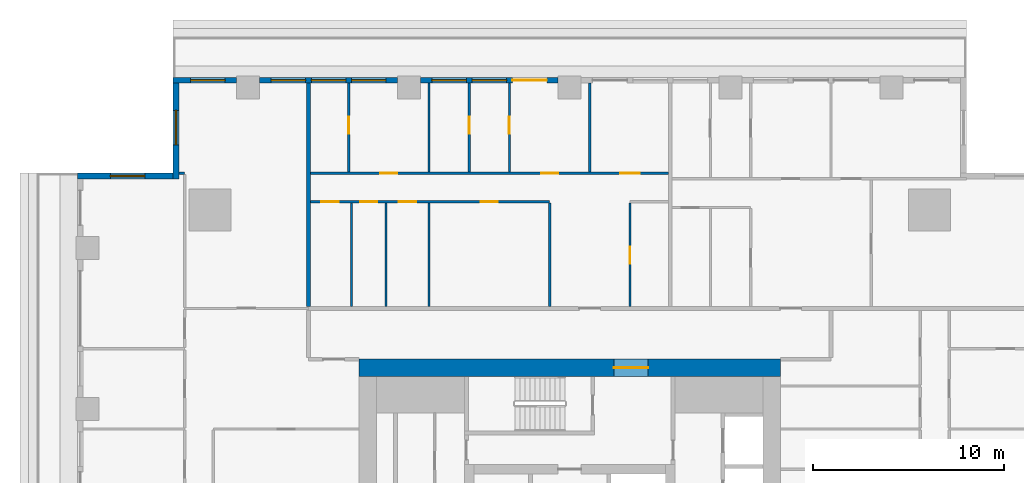
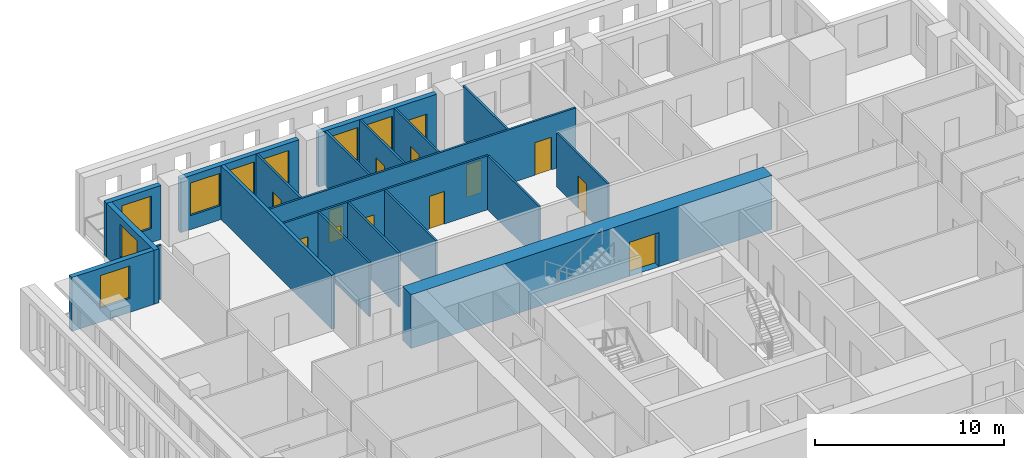
# One storey, part 7 of 15: 20 walls, 13 doors, 8 windows, 21 openings.
"""IFC4 building model written with IfcOpenShell, lengths in metres."""

from ifc_helpers import new_model, si_unit, direction, frame, frame_2d, origin, place, context, subcontext, project, spatial, rectangle, extrude, material, layer, layer_set, type_object, element, fill, save


model = new_model("IFC4")

# Units and contexts
model_context = context("Model", 3, precision=1e-05, world=origin(), true_north=direction((0.0, 1.0)))
body_context = subcontext(model_context, "Body", "Model", "MODEL_VIEW")
ifc_project = project(units=[si_unit("LENGTHUNIT", "METRE"), si_unit("AREAUNIT", "SQUARE_METRE"), si_unit("VOLUMEUNIT", "CUBIC_METRE"), si_unit("PLANEANGLEUNIT", "RADIAN"), si_unit("MASSUNIT", "GRAM", prefix="KILO")], contexts=[model_context])

# Site, building, storey
site_placement = place(None, origin())
site = spatial("IfcSite", under=ifc_project, at=site_placement, CompositionType="ELEMENT")
building_placement = place(site_placement, origin())
building = spatial("IfcBuilding", under=site, at=building_placement, Name="Khepri Terraces", CompositionType="ELEMENT")
storey_placement = place(building_placement, frame((0.0, 0.0, 252.300048828125)))
storey = spatial("IfcBuildingStorey", under=building, at=storey_placement, Name="L60", CompositionType="ELEMENT", Elevation=252.300048828125)

# Wall, opening, door
ifc_material_1 = material(Name="Concrete C40/50", Category="concrete")
ifc_layer_1 = layer(ifc_material_1, 0.89990234375, Name="Concrete C40/50", Category="concrete")
ifc_layer_set_1 = layer_set([ifc_layer_1], Name="Concrete C40/50")
wall_type_1 = type_object("IfcWallType", Name="Core wall 900 C40/50", PredefinedType="SHEAR", material=ifc_layer_set_1)
wall_1_placement = place(storey_placement, frame((-11.0, 10.550048828125, 0.0), z_axis=(0.0, 0.0, 1.0), x_axis=(1.0, 0.0, 0.0)))
wall_1 = element("IfcWall", 1, at=wall_1_placement, inside=storey, type_object=wall_type_1, Name="Core wall OW-N L60", PredefinedType="SHEAR", context=body_context, shape_type="SweptSolid", body=[
    extrude(rectangle(XDim=22.0, YDim=0.89990234375, at=frame_2d((11.0, 0.0))), origin(), (0.0, 0.0, 1.0), 3.47998046875),
])
opening_1_placement = place(wall_1_placement, frame((13.300048828125, 0.0, 0.0)))
opening_1 = element("IfcOpeningElement", 2, at=opening_1_placement, cuts=wall_1, Name="Opening L60-C20", PredefinedType="OPENING", context=body_context, shape_type="SweptSolid", body=[
    extrude(rectangle(XDim=1.800048828125, YDim=2.199951171875, at=frame_2d((0.89990234375, 1.10009765625))), frame((0.0, 0.4599609375, 0.0), z_axis=(0.0, -1.0, 0.0), x_axis=(1.0, 0.0, 0.0)), (0.0, 0.0, 1.0), 0.919921875),
])
ifc_material_2 = material(Name="Painted steel", Category="steel")
door_type_1 = type_object("IfcDoorType", Name="DR-CORE-ENTRANCE-1800", OperationType="NOTDEFINED", PredefinedType="DOOR", material=ifc_material_2)
door_1_placement = place(opening_1_placement, origin())
door_1 = element("IfcDoor", 3, at=door_1_placement, inside=storey, type_object=door_type_1, Name="Core entrance door pair L60-C20", OperationType="DOUBLE_DOOR_SINGLE_SWING", OverallHeight=2.199951171875, OverallWidth=1.800048828125, PredefinedType="DOOR", context=body_context, shape_type="SweptSolid", body=[
    extrude(rectangle(XDim=1.800048828125, YDim=2.199951171875, at=frame_2d((0.89990234375, 1.10009765625))), frame((0.0, 0.02490234375, 0.0), z_axis=(0.0, -1.0, 0.0), x_axis=(1.0, 0.0, 0.0)), (0.0, 0.0, 1.0), 0.050048828125),
])
fill(opening_1, door_1)

# Wall
ifc_material_3 = material(Name="Fire-rated gypsum plasterboard partition, mineral wool")
ifc_layer_2 = layer(ifc_material_3, 0.199951171875, Name="Fire-rated gypsum plasterboard partition, mineral wool")
ifc_layer_set_2 = layer_set([ifc_layer_2], Name="Fire-rated gypsum plasterboard partition, mineral wool")
wall_type_2 = type_object("IfcWallType", Name="WL-CORR-200", PredefinedType="PARTITIONING", material=ifc_layer_set_2)
wall_2_placement = place(storey_placement, frame((-13.64990234375, 13.75, 0.0), z_axis=(0.0, 0.0, 1.0), x_axis=(0.0, 1.0, 0.0)))
element("IfcWall", 4, at=wall_2_placement, inside=storey, type_object=wall_type_2, Name="Partition P-083 L60", PredefinedType="PARTITIONING", context=body_context, shape_type="SweptSolid", body=[
    extrude(rectangle(XDim=11.669921875, YDim=0.199951171875, at=frame_2d((5.8349609375, 0.0))), origin(), (0.0, 0.0, 1.0), 3.47998046875),
])

# Wall, openings, door, windows
ifc_material_4 = material(Name="Precast concrete C50/60 warm stone", Category="masonry")
ifc_layer_3 = layer(ifc_material_4, 0.300048828125, Name="Precast concrete C50/60 warm stone", Category="masonry")
ifc_layer_set_3 = layer_set([ifc_layer_3], Name="Precast concrete C50/60 warm stone")
wall_type_3 = type_object("IfcWallType", Name="WL-EXT-PRECAST-300", PredefinedType="STANDARD", material=ifc_layer_set_3)
wall_3_placement = place(storey_placement, frame((-0.60009765625, 25.570068359375, 0.0), z_axis=(0.0, 0.0, 1.0), x_axis=(-1.0, 0.0, 0.0)))
wall_3 = element("IfcWall", 5, at=wall_3_placement, inside=storey, type_object=wall_type_3, Name="External wall L60 N", PredefinedType="STANDARD", context=body_context, shape_type="SweptSolid", body=[
    extrude(rectangle(XDim=7.199951171875, YDim=0.300048828125, at=frame_2d((3.60009765625, 0.0))), origin(), (0.0, 0.0, 1.0), 3.47998046875),
])
opening_2_placement = place(wall_3_placement, frame((0.60009765625, 0.0, 0.0)))
opening_2 = element("IfcOpeningElement", 6, at=opening_2_placement, cuts=wall_3, Name="Opening ED-L60-11", PredefinedType="OPENING", context=body_context, shape_type="SweptSolid", body=[
    extrude(rectangle(XDim=1.800048828125, YDim=2.39990234375, at=frame_2d((0.89990234375, 1.199951171875))), frame((0.0, 0.16015625, 0.0), z_axis=(0.0, -1.0, 0.0), x_axis=(1.0, 0.0, 0.0)), (0.0, 0.0, 1.0), 0.320068359375),
])
opening_3_placement = place(wall_3_placement, frame((2.699951171875, 0.0, 0.89990234375)))
opening_3 = element("IfcOpeningElement", 7, at=opening_3_placement, cuts=wall_3, Name="Opening W1", PredefinedType="OPENING", context=body_context, shape_type="SweptSolid", body=[
    extrude(rectangle(XDim=1.800048828125, YDim=2.10009765625, at=frame_2d((0.89990234375, 1.050048828125))), frame((0.0, 0.16015625, 0.0), z_axis=(0.0, -1.0, 0.0), x_axis=(1.0, 0.0, 0.0)), (0.0, 0.0, 1.0), 0.320068359375),
])
opening_4_placement = place(wall_3_placement, frame((4.800048828125, 0.0, 0.89990234375)))
opening_4 = element("IfcOpeningElement", 8, at=opening_4_placement, cuts=wall_3, Name="Opening W1", PredefinedType="OPENING", context=body_context, shape_type="SweptSolid", body=[
    extrude(rectangle(XDim=1.800048828125, YDim=2.10009765625, at=frame_2d((0.89990234375, 1.050048828125))), frame((0.0, 0.16015625, 0.0), z_axis=(0.0, -1.0, 0.0), x_axis=(1.0, 0.0, 0.0)), (0.0, 0.0, 1.0), 0.320068359375),
])
ifc_material_5 = material(Name="Anodised aluminium bronze glazed door", Category="aluminium")
door_type_2 = type_object("IfcDoorType", Name="DR-BAL-SLIDE-1800x2400", OperationType="NOTDEFINED", PredefinedType="DOOR", material=ifc_material_5)
door_2_placement = place(opening_2_placement, origin())
door_2 = element("IfcDoor", 9, at=door_2_placement, inside=storey, type_object=door_type_2, Name="Balcony door L60 N", OperationType="SLIDING_TO_LEFT", OverallHeight=2.39990234375, OverallWidth=1.800048828125, PredefinedType="DOOR", context=body_context, shape_type="SweptSolid", body=[
    extrude(rectangle(XDim=1.800048828125, YDim=2.39990234375, at=frame_2d((0.89990234375, 1.199951171875))), frame((0.0, 0.02490234375, 0.0), z_axis=(0.0, -1.0, 0.0), x_axis=(1.0, 0.0, 0.0)), (0.0, 0.0, 1.0), 0.050048828125),
])
fill(opening_2, door_2)
ifc_material_6 = material(Name="Clear glass", Category="glass")
window_type = type_object("IfcWindowType", Name="WIN-RES-1800x2100", PartitioningType="SINGLE_PANEL", PredefinedType="WINDOW", material=ifc_material_6)
window_1_placement = place(opening_3_placement, origin())
window_1 = element("IfcWindow", 10, at=window_1_placement, inside=storey, type_object=window_type, Name="Window L60 N", OverallHeight=2.10009765625, OverallWidth=1.800048828125, PartitioningType="SINGLE_PANEL", PredefinedType="WINDOW", context=body_context, shape_type="SweptSolid", body=[
    extrude(rectangle(XDim=1.800048828125, YDim=2.10009765625, at=frame_2d((0.89990234375, 1.050048828125))), frame((0.0, 0.030029296875, 0.0), z_axis=(0.0, -1.0, 0.0), x_axis=(1.0, 0.0, 0.0)), (0.0, 0.0, 1.0), 0.06005859375),
])
fill(opening_3, window_1)
window_2_placement = place(opening_4_placement, origin())
window_2 = element("IfcWindow", 11, at=window_2_placement, inside=storey, type_object=window_type, Name="Window L60 N", OverallHeight=2.10009765625, OverallWidth=1.800048828125, PartitioningType="SINGLE_PANEL", PredefinedType="WINDOW", context=body_context, shape_type="SweptSolid", body=[
    extrude(rectangle(XDim=1.800048828125, YDim=2.10009765625, at=frame_2d((0.89990234375, 1.050048828125))), frame((0.0, 0.030029296875, 0.0), z_axis=(0.0, -1.0, 0.0), x_axis=(1.0, 0.0, 0.0)), (0.0, 0.0, 1.0), 0.06005859375),
])
fill(opening_4, window_2)

# Wall, openings, windows
wall_4_placement = place(storey_placement, frame((-9.0, 25.570068359375, 0.0), z_axis=(0.0, 0.0, 1.0), x_axis=(-1.0, 0.0, 0.0)))
wall_4 = element("IfcWall", 12, at=wall_4_placement, inside=storey, type_object=wall_type_3, Name="External wall L60 N", PredefinedType="STANDARD", context=body_context, shape_type="SweptSolid", body=[
    extrude(rectangle(XDim=7.199951171875, YDim=0.300048828125, at=frame_2d((3.60009765625, 0.0))), origin(), (0.0, 0.0, 1.0), 3.47998046875),
])
opening_5_placement = place(wall_4_placement, frame((0.60009765625, 0.0, 0.89990234375)))
opening_5 = element("IfcOpeningElement", 13, at=opening_5_placement, cuts=wall_4, Name="Opening W1", PredefinedType="OPENING", context=body_context, shape_type="SweptSolid", body=[
    extrude(rectangle(XDim=1.800048828125, YDim=2.10009765625, at=frame_2d((0.89990234375, 1.050048828125))), frame((0.0, 0.16015625, 0.0), z_axis=(0.0, -1.0, 0.0), x_axis=(1.0, 0.0, 0.0)), (0.0, 0.0, 1.0), 0.320068359375),
])
opening_6_placement = place(wall_4_placement, frame((2.699951171875, 0.0, 0.89990234375)))
opening_6 = element("IfcOpeningElement", 14, at=opening_6_placement, cuts=wall_4, Name="Opening W1", PredefinedType="OPENING", context=body_context, shape_type="SweptSolid", body=[
    extrude(rectangle(XDim=1.800048828125, YDim=2.10009765625, at=frame_2d((0.89990234375, 1.050048828125))), frame((0.0, 0.16015625, 0.0), z_axis=(0.0, -1.0, 0.0), x_axis=(1.0, 0.0, 0.0)), (0.0, 0.0, 1.0), 0.320068359375),
])
opening_7_placement = place(wall_4_placement, frame((4.800048828125, 0.0, 0.89990234375)))
opening_7 = element("IfcOpeningElement", 15, at=opening_7_placement, cuts=wall_4, Name="Opening W1", PredefinedType="OPENING", context=body_context, shape_type="SweptSolid", body=[
    extrude(rectangle(XDim=1.800048828125, YDim=2.10009765625, at=frame_2d((0.89990234375, 1.050048828125))), frame((0.0, 0.16015625, 0.0), z_axis=(0.0, -1.0, 0.0), x_axis=(1.0, 0.0, 0.0)), (0.0, 0.0, 1.0), 0.320068359375),
])
window_3_placement = place(opening_5_placement, origin())
window_3 = element("IfcWindow", 16, at=window_3_placement, inside=storey, type_object=window_type, Name="Window L60 N", OverallHeight=2.10009765625, OverallWidth=1.800048828125, PartitioningType="SINGLE_PANEL", PredefinedType="WINDOW", context=body_context, shape_type="SweptSolid", body=[
    extrude(rectangle(XDim=1.800048828125, YDim=2.10009765625, at=frame_2d((0.89990234375, 1.050048828125))), frame((0.0, 0.030029296875, 0.0), z_axis=(0.0, -1.0, 0.0), x_axis=(1.0, 0.0, 0.0)), (0.0, 0.0, 1.0), 0.06005859375),
])
fill(opening_5, window_3)
window_4_placement = place(opening_6_placement, origin())
window_4 = element("IfcWindow", 17, at=window_4_placement, inside=storey, type_object=window_type, Name="Window L60 N", OverallHeight=2.10009765625, OverallWidth=1.800048828125, PartitioningType="SINGLE_PANEL", PredefinedType="WINDOW", context=body_context, shape_type="SweptSolid", body=[
    extrude(rectangle(XDim=1.800048828125, YDim=2.10009765625, at=frame_2d((0.89990234375, 1.050048828125))), frame((0.0, 0.030029296875, 0.0), z_axis=(0.0, -1.0, 0.0), x_axis=(1.0, 0.0, 0.0)), (0.0, 0.0, 1.0), 0.06005859375),
])
fill(opening_6, window_4)
window_5_placement = place(opening_7_placement, origin())
window_5 = element("IfcWindow", 18, at=window_5_placement, inside=storey, type_object=window_type, Name="Window L60 N", OverallHeight=2.10009765625, OverallWidth=1.800048828125, PartitioningType="SINGLE_PANEL", PredefinedType="WINDOW", context=body_context, shape_type="SweptSolid", body=[
    extrude(rectangle(XDim=1.800048828125, YDim=2.10009765625, at=frame_2d((0.89990234375, 1.050048828125))), frame((0.0, 0.030029296875, 0.0), z_axis=(0.0, -1.0, 0.0), x_axis=(1.0, 0.0, 0.0)), (0.0, 0.0, 1.0), 0.06005859375),
])
fill(opening_7, window_5)

# Wall, opening, window
wall_5_placement = place(storey_placement, frame((-17.39990234375, 25.570068359375, 0.0), z_axis=(0.0, 0.0, 1.0), x_axis=(-1.0, 0.0, 0.0)))
wall_5 = element("IfcWall", 19, at=wall_5_placement, inside=storey, type_object=wall_type_3, Name="External wall L60 N", PredefinedType="STANDARD", context=body_context, shape_type="SweptSolid", body=[
    extrude(rectangle(XDim=3.320068359375, YDim=0.300048828125, at=frame_2d((1.66015625, 0.0))), origin(), (0.0, 0.0, 1.0), 3.47998046875),
])
opening_8_placement = place(wall_5_placement, frame((0.60009765625, 0.0, 0.89990234375)))
opening_8 = element("IfcOpeningElement", 20, at=opening_8_placement, cuts=wall_5, Name="Opening W1", PredefinedType="OPENING", context=body_context, shape_type="SweptSolid", body=[
    extrude(rectangle(XDim=1.800048828125, YDim=2.10009765625, at=frame_2d((0.89990234375, 1.050048828125))), frame((0.0, 0.16015625, 0.0), z_axis=(0.0, -1.0, 0.0), x_axis=(1.0, 0.0, 0.0)), (0.0, 0.0, 1.0), 0.320068359375),
])
window_6_placement = place(opening_8_placement, origin())
window_6 = element("IfcWindow", 21, at=window_6_placement, inside=storey, type_object=window_type, Name="Window L60 N", OverallHeight=2.10009765625, OverallWidth=1.800048828125, PartitioningType="SINGLE_PANEL", PredefinedType="WINDOW", context=body_context, shape_type="SweptSolid", body=[
    extrude(rectangle(XDim=1.800048828125, YDim=2.10009765625, at=frame_2d((0.89990234375, 1.050048828125))), frame((0.0, 0.030029296875, 0.0), z_axis=(0.0, -1.0, 0.0), x_axis=(1.0, 0.0, 0.0)), (0.0, 0.0, 1.0), 0.06005859375),
])
fill(opening_8, window_6)

wall_6_placement = place(storey_placement, frame((-20.570068359375, 25.419921875, 0.0), z_axis=(0.0, 0.0, 1.0), x_axis=(0.0, -1.0, 0.0)))
wall_6 = element("IfcWall", 22, at=wall_6_placement, inside=storey, type_object=wall_type_3, Name="External wall L60 W", PredefinedType="STANDARD", context=body_context, shape_type="SweptSolid", body=[
    extrude(rectangle(XDim=5.0, YDim=0.300048828125, at=frame_2d((2.5, 0.0))), origin(), (0.0, 0.0, 1.0), 3.47998046875),
])
opening_9_placement = place(wall_6_placement, frame((1.419921875, 0.0, 0.89990234375)))
opening_9 = element("IfcOpeningElement", 23, at=opening_9_placement, cuts=wall_6, Name="Opening W1", PredefinedType="OPENING", context=body_context, shape_type="SweptSolid", body=[
    extrude(rectangle(XDim=1.800048828125, YDim=2.10009765625, at=frame_2d((0.89990234375, 1.050048828125))), frame((0.0, 0.16015625, 0.0), z_axis=(0.0, -1.0, 0.0), x_axis=(1.0, 0.0, 0.0)), (0.0, 0.0, 1.0), 0.320068359375),
])
window_7_placement = place(opening_9_placement, origin())
window_7 = element("IfcWindow", 24, at=window_7_placement, inside=storey, type_object=window_type, Name="Window L60 W", OverallHeight=2.10009765625, OverallWidth=1.800048828125, PartitioningType="SINGLE_PANEL", PredefinedType="WINDOW", context=body_context, shape_type="SweptSolid", body=[
    extrude(rectangle(XDim=1.800048828125, YDim=2.10009765625, at=frame_2d((0.89990234375, 1.050048828125))), frame((0.0, 0.030029296875, 0.0), z_axis=(0.0, -1.0, 0.0), x_axis=(1.0, 0.0, 0.0)), (0.0, 0.0, 1.0), 0.06005859375),
])
fill(opening_9, window_7)

wall_7_placement = place(storey_placement, frame((-20.719970703125, 20.570068359375, 0.0), z_axis=(0.0, 0.0, 1.0), x_axis=(-1.0, 0.0, 0.0)))
wall_7 = element("IfcWall", 25, at=wall_7_placement, inside=storey, type_object=wall_type_3, Name="External wall L60 N", PredefinedType="STANDARD", context=body_context, shape_type="SweptSolid", body=[
    extrude(rectangle(XDim=5.0, YDim=0.300048828125, at=frame_2d((2.5, 0.0))), origin(), (0.0, 0.0, 1.0), 3.47998046875),
])
opening_10_placement = place(wall_7_placement, frame((1.47998046875, 0.0, 0.89990234375)))
opening_10 = element("IfcOpeningElement", 26, at=opening_10_placement, cuts=wall_7, Name="Opening W1", PredefinedType="OPENING", context=body_context, shape_type="SweptSolid", body=[
    extrude(rectangle(XDim=1.800048828125, YDim=2.10009765625, at=frame_2d((0.89990234375, 1.050048828125))), frame((0.0, 0.16015625, 0.0), z_axis=(0.0, -1.0, 0.0), x_axis=(1.0, 0.0, 0.0)), (0.0, 0.0, 1.0), 0.320068359375),
])
window_8_placement = place(opening_10_placement, origin())
window_8 = element("IfcWindow", 27, at=window_8_placement, inside=storey, type_object=window_type, Name="Window L60 N", OverallHeight=2.10009765625, OverallWidth=1.800048828125, PartitioningType="SINGLE_PANEL", PredefinedType="WINDOW", context=body_context, shape_type="SweptSolid", body=[
    extrude(rectangle(XDim=1.800048828125, YDim=2.10009765625, at=frame_2d((0.89990234375, 1.050048828125))), frame((0.0, 0.030029296875, 0.0), z_axis=(0.0, -1.0, 0.0), x_axis=(1.0, 0.0, 0.0)), (0.0, 0.0, 1.0), 0.06005859375),
])
fill(opening_10, window_8)

# Walls
ifc_material_7 = material(Name="Gypsum plasterboard partition")
ifc_layer_4 = layer(ifc_material_7, 0.1201171875, Name="Gypsum plasterboard partition")
ifc_layer_set_4 = layer_set([ifc_layer_4], Name="Gypsum plasterboard partition")
wall_type_4 = type_object("IfcWallType", Name="WL-PART-120", PredefinedType="PARTITIONING", material=ifc_layer_set_4)
for number, where, z_axis, x_axis, name in (
    (28, (-11.39990234375, 13.75, 0.0), (0.0, 0.0, 1.0), (0.0, 1.0, 0.0), "Partition P-084 L60"),
    (29, (-9.60009765625, 13.75, 0.0), (0.0, 0.0, 1.0), (0.0, 1.0, 0.0), "Partition P-085 L60"),
    (30, (-7.35009765625, 13.75, 0.0), (0.0, 0.0, 1.0), (0.0, 1.0, 0.0), "Partition P-086 L60"),
    (31, (-1.050048828125, 13.75, 0.0), (0.0, 0.0, 1.0), (0.0, 1.0, 0.0), "Partition P-087 L60"),
):
    element("IfcWall", number, at=place(storey_placement, frame(where, z_axis=z_axis, x_axis=x_axis)), inside=storey, type_object=wall_type_4, Name=name, PredefinedType="PARTITIONING", context=body_context, shape_type="SweptSolid", body=[
        extrude(rectangle(XDim=5.409912109375, YDim=0.1201171875, at=frame_2d((2.705078125, 0.0))), origin(), (0.0, 0.0, 1.0), 3.47998046875),
    ])

# Wall, opening, door
wall_8_placement = place(storey_placement, frame((3.14990234375, 13.75, 0.0), z_axis=(0.0, 0.0, 1.0), x_axis=(0.0, 1.0, 0.0)))
wall_8 = element("IfcWall", 32, at=wall_8_placement, inside=storey, type_object=wall_type_4, Name="Partition P-088 L60", PredefinedType="PARTITIONING", context=body_context, shape_type="SweptSolid", body=[
    extrude(rectangle(XDim=5.409912109375, YDim=0.1201171875, at=frame_2d((2.705078125, 0.0))), origin(), (0.0, 0.0, 1.0), 3.47998046875),
])
opening_11_placement = place(wall_8_placement, frame((2.235107421875, 0.0, 0.0)))
opening_11 = element("IfcOpeningElement", 33, at=opening_11_placement, cuts=wall_8, Name="Opening D3", PredefinedType="OPENING", context=body_context, shape_type="SweptSolid", body=[
    extrude(rectangle(XDim=0.89990234375, YDim=2.10009765625, at=frame_2d((0.449951171875, 1.050048828125))), frame((0.0, 0.070068359375, 0.0), z_axis=(0.0, -1.0, 0.0), x_axis=(1.0, 0.0, 0.0)), (0.0, 0.0, 1.0), 0.14013671875),
])
ifc_material_8 = material(Name="Timber door leaf", Category="wood")
door_type_3 = type_object("IfcDoorType", Name="DR-INT-900", OperationType="NOTDEFINED", PredefinedType="DOOR", material=ifc_material_8)
door_3_placement = place(opening_11_placement, frame((0.89990234375, 0.0, 0.0), z_axis=(0.0, 0.0, 1.0), x_axis=(-1.0, 0.0, 0.0)))
door_3 = element("IfcDoor", 34, at=door_3_placement, inside=storey, type_object=door_type_3, Name="Door Utility Room", OperationType="SINGLE_SWING_RIGHT", OverallHeight=2.10009765625, OverallWidth=0.89990234375, PredefinedType="DOOR", context=body_context, shape_type="SweptSolid", body=[
    extrude(rectangle(XDim=0.89990234375, YDim=2.10009765625, at=frame_2d((0.449951171875, 1.050048828125))), frame((0.0, 0.02490234375, 0.0), z_axis=(0.0, -1.0, 0.0), x_axis=(1.0, 0.0, 0.0)), (0.0, 0.0, 1.0), 0.050048828125),
])
fill(opening_11, door_3)

# Wall, openings, doors
wall_9_placement = place(storey_placement, frame((-13.550048828125, 19.219970703125, 0.0), z_axis=(0.0, 0.0, 1.0), x_axis=(1.0, 0.0, 0.0)))
wall_9 = element("IfcWall", 35, at=wall_9_placement, inside=storey, type_object=wall_type_4, Name="Partition P-094 L60", PredefinedType="PARTITIONING", context=body_context, shape_type="SweptSolid", body=[
    extrude(rectangle(XDim=12.5, YDim=0.1201171875, at=frame_2d((6.25, 0.0))), origin(), (0.0, 0.0, 1.0), 3.47998046875),
])
opening_12_placement = place(wall_9_placement, frame((8.89990234375, 0.0, 0.0)))
opening_12 = element("IfcOpeningElement", 36, at=opening_12_placement, cuts=wall_9, Name="Opening D3", PredefinedType="OPENING", context=body_context, shape_type="SweptSolid", body=[
    extrude(rectangle(XDim=0.89990234375, YDim=2.10009765625, at=frame_2d((0.449951171875, 1.050048828125))), frame((0.0, 0.070068359375, 0.0), z_axis=(0.0, -1.0, 0.0), x_axis=(1.0, 0.0, 0.0)), (0.0, 0.0, 1.0), 0.14013671875),
])
opening_13_placement = place(wall_9_placement, frame((4.625, 0.0, 0.0)))
opening_13 = element("IfcOpeningElement", 37, at=opening_13_placement, cuts=wall_9, Name="Opening D3", PredefinedType="OPENING", context=body_context, shape_type="SweptSolid", body=[
    extrude(rectangle(XDim=0.89990234375, YDim=2.10009765625, at=frame_2d((0.449951171875, 1.050048828125))), frame((0.0, 0.070068359375, 0.0), z_axis=(0.0, -1.0, 0.0), x_axis=(1.0, 0.0, 0.0)), (0.0, 0.0, 1.0), 0.14013671875),
])
opening_14_placement = place(wall_9_placement, frame((2.60009765625, 0.0, 0.0)))
opening_14 = element("IfcOpeningElement", 38, at=opening_14_placement, cuts=wall_9, Name="Opening D4", PredefinedType="OPENING", context=body_context, shape_type="SweptSolid", body=[
    extrude(rectangle(XDim=0.89990234375, YDim=2.10009765625, at=frame_2d((0.449951171875, 1.050048828125))), frame((0.0, 0.070068359375, 0.0), z_axis=(0.0, -1.0, 0.0), x_axis=(1.0, 0.0, 0.0)), (0.0, 0.0, 1.0), 0.14013671875),
])
opening_15_placement = place(wall_9_placement, frame((0.574951171875, 0.0, 0.0)))
opening_15 = element("IfcOpeningElement", 39, at=opening_15_placement, cuts=wall_9, Name="Opening D4", PredefinedType="OPENING", context=body_context, shape_type="SweptSolid", body=[
    extrude(rectangle(XDim=0.89990234375, YDim=2.10009765625, at=frame_2d((0.449951171875, 1.050048828125))), frame((0.0, 0.070068359375, 0.0), z_axis=(0.0, -1.0, 0.0), x_axis=(1.0, 0.0, 0.0)), (0.0, 0.0, 1.0), 0.14013671875),
])
door_4_placement = place(opening_12_placement, frame((0.89990234375, 0.0, 0.0), z_axis=(0.0, 0.0, 1.0), x_axis=(-1.0, 0.0, 0.0)))
door_4 = element("IfcDoor", 40, at=door_4_placement, inside=storey, type_object=door_type_3, Name="Door Kitchen", OperationType="SINGLE_SWING_LEFT", OverallHeight=2.10009765625, OverallWidth=0.89990234375, PredefinedType="DOOR", context=body_context, shape_type="SweptSolid", body=[
    extrude(rectangle(XDim=0.89990234375, YDim=2.10009765625, at=frame_2d((0.449951171875, 1.050048828125))), frame((0.0, 0.02490234375, 0.0), z_axis=(0.0, -1.0, 0.0), x_axis=(1.0, 0.0, 0.0)), (0.0, 0.0, 1.0), 0.050048828125),
])
fill(opening_12, door_4)
door_5_placement = place(opening_13_placement, frame((0.89990234375, 0.0, 0.0), z_axis=(0.0, 0.0, 1.0), x_axis=(-1.0, 0.0, 0.0)))
door_5 = element("IfcDoor", 41, at=door_5_placement, inside=storey, type_object=door_type_3, Name="Door Service Store", OperationType="SINGLE_SWING_RIGHT", OverallHeight=2.10009765625, OverallWidth=0.89990234375, PredefinedType="DOOR", context=body_context, shape_type="SweptSolid", body=[
    extrude(rectangle(XDim=0.89990234375, YDim=2.10009765625, at=frame_2d((0.449951171875, 1.050048828125))), frame((0.0, 0.02490234375, 0.0), z_axis=(0.0, -1.0, 0.0), x_axis=(1.0, 0.0, 0.0)), (0.0, 0.0, 1.0), 0.050048828125),
])
fill(opening_13, door_5)
ifc_material_9 = material(Name="Timber door leaf, moisture resistant", Category="wood")
door_type_4 = type_object("IfcDoorType", Name="DR-WET-900", OperationType="NOTDEFINED", PredefinedType="DOOR", material=ifc_material_9)
door_6_placement = place(opening_14_placement, frame((0.89990234375, 0.0, 0.0), z_axis=(0.0, 0.0, 1.0), x_axis=(-1.0, 0.0, 0.0)))
door_6 = element("IfcDoor", 42, at=door_6_placement, inside=storey, type_object=door_type_4, Name="Door Powder Room", OperationType="SINGLE_SWING_RIGHT", OverallHeight=2.10009765625, OverallWidth=0.89990234375, PredefinedType="DOOR", context=body_context, shape_type="SweptSolid", body=[
    extrude(rectangle(XDim=0.89990234375, YDim=2.10009765625, at=frame_2d((0.449951171875, 1.050048828125))), frame((0.0, 0.02490234375, 0.0), z_axis=(0.0, -1.0, 0.0), x_axis=(1.0, 0.0, 0.0)), (0.0, 0.0, 1.0), 0.050048828125),
])
fill(opening_14, door_6)
door_7_placement = place(opening_15_placement, frame((0.89990234375, 0.0, 0.0), z_axis=(0.0, 0.0, 1.0), x_axis=(-1.0, 0.0, 0.0)))
door_7 = element("IfcDoor", 43, at=door_7_placement, inside=storey, type_object=door_type_4, Name="Door Guest Bathroom", OperationType="SINGLE_SWING_RIGHT", OverallHeight=2.10009765625, OverallWidth=0.89990234375, PredefinedType="DOOR", context=body_context, shape_type="SweptSolid", body=[
    extrude(rectangle(XDim=0.89990234375, YDim=2.10009765625, at=frame_2d((0.449951171875, 1.050048828125))), frame((0.0, 0.02490234375, 0.0), z_axis=(0.0, -1.0, 0.0), x_axis=(1.0, 0.0, 0.0)), (0.0, 0.0, 1.0), 0.050048828125),
])
fill(opening_15, door_7)

# Wall
wall_10_placement = place(storey_placement, frame((-20.4208984375, 20.718994140625, 0.0), z_axis=(0.0, 0.0, 1.0), x_axis=(1.0, 0.0, 0.0)))
element("IfcWall", 44, at=wall_10_placement, inside=storey, type_object=wall_type_4, Name="Partition P-101 L60", PredefinedType="PARTITIONING", context=body_context, shape_type="SweptSolid", body=[
    extrude(rectangle(XDim=0.30078125, YDim=0.1201171875, at=frame_2d((0.150390625, 0.0))), origin(), (0.0, 0.0, 1.0), 3.47998046875),
])

# Wall, openings, doors
wall_11_placement = place(storey_placement, frame((-13.550048828125, 20.719970703125, 0.0), z_axis=(0.0, 0.0, 1.0), x_axis=(1.0, 0.0, 0.0)))
wall_11 = element("IfcWall", 45, at=wall_11_placement, inside=storey, type_object=wall_type_4, Name="Partition P-102 L60", PredefinedType="PARTITIONING", context=body_context, shape_type="SweptSolid", body=[
    extrude(rectangle(XDim=18.699951171875, YDim=0.1201171875, at=frame_2d((9.35009765625, 0.0))), origin(), (0.0, 0.0, 1.0), 3.47998046875),
])
opening_16_placement = place(wall_11_placement, frame((16.199951171875, 0.0, 0.0)))
opening_16 = element("IfcOpeningElement", 46, at=opening_16_placement, cuts=wall_11, Name="Opening D2", PredefinedType="OPENING", context=body_context, shape_type="SweptSolid", body=[
    extrude(rectangle(XDim=1.0, YDim=2.10009765625, at=frame_2d((0.5, 1.050048828125))), frame((0.0, 0.070068359375, 0.0), z_axis=(0.0, -1.0, 0.0), x_axis=(1.0, 0.0, 0.0)), (0.0, 0.0, 1.0), 0.14013671875),
])
opening_17_placement = place(wall_11_placement, frame((12.050048828125, 0.0, 0.0)))
opening_17 = element("IfcOpeningElement", 47, at=opening_17_placement, cuts=wall_11, Name="Opening D3", PredefinedType="OPENING", context=body_context, shape_type="SweptSolid", body=[
    extrude(rectangle(XDim=0.89990234375, YDim=2.10009765625, at=frame_2d((0.449951171875, 1.050048828125))), frame((0.0, 0.070068359375, 0.0), z_axis=(0.0, -1.0, 0.0), x_axis=(1.0, 0.0, 0.0)), (0.0, 0.0, 1.0), 0.14013671875),
])
opening_18_placement = place(wall_11_placement, frame((3.64990234375, 0.0, 0.0)))
opening_18 = element("IfcOpeningElement", 48, at=opening_18_placement, cuts=wall_11, Name="Opening D3", PredefinedType="OPENING", context=body_context, shape_type="SweptSolid", body=[
    extrude(rectangle(XDim=0.89990234375, YDim=2.10009765625, at=frame_2d((0.449951171875, 1.050048828125))), frame((0.0, 0.070068359375, 0.0), z_axis=(0.0, -1.0, 0.0), x_axis=(1.0, 0.0, 0.0)), (0.0, 0.0, 1.0), 0.14013671875),
])
ifc_material_10 = material(Name="Timber door leaf, living room door", Category="wood")
door_type_5 = type_object("IfcDoorType", Name="DR-INT-1000", OperationType="NOTDEFINED", PredefinedType="DOOR", material=ifc_material_10)
door_8_placement = place(opening_16_placement, origin())
door_8 = element("IfcDoor", 49, at=door_8_placement, inside=storey, type_object=door_type_5, Name="Door Living Room", OperationType="SINGLE_SWING_RIGHT", OverallHeight=2.10009765625, OverallWidth=1.0, PredefinedType="DOOR", context=body_context, shape_type="SweptSolid", body=[
    extrude(rectangle(XDim=1.0, YDim=2.10009765625, at=frame_2d((0.5, 1.050048828125))), frame((0.0, 0.02490234375, 0.0), z_axis=(0.0, -1.0, 0.0), x_axis=(1.0, 0.0, 0.0)), (0.0, 0.0, 1.0), 0.050048828125),
])
fill(opening_16, door_8)
door_9_placement = place(opening_17_placement, origin())
door_9 = element("IfcDoor", 50, at=door_9_placement, inside=storey, type_object=door_type_3, Name="Door Master Bedroom", OperationType="SINGLE_SWING_RIGHT", OverallHeight=2.10009765625, OverallWidth=0.89990234375, PredefinedType="DOOR", context=body_context, shape_type="SweptSolid", body=[
    extrude(rectangle(XDim=0.89990234375, YDim=2.10009765625, at=frame_2d((0.449951171875, 1.050048828125))), frame((0.0, 0.02490234375, 0.0), z_axis=(0.0, -1.0, 0.0), x_axis=(1.0, 0.0, 0.0)), (0.0, 0.0, 1.0), 0.050048828125),
])
fill(opening_17, door_9)
door_10_placement = place(opening_18_placement, origin())
door_10 = element("IfcDoor", 51, at=door_10_placement, inside=storey, type_object=door_type_3, Name="Door Bedroom", OperationType="SINGLE_SWING_LEFT", OverallHeight=2.10009765625, OverallWidth=0.89990234375, PredefinedType="DOOR", context=body_context, shape_type="SweptSolid", body=[
    extrude(rectangle(XDim=0.89990234375, YDim=2.10009765625, at=frame_2d((0.449951171875, 1.050048828125))), frame((0.0, 0.02490234375, 0.0), z_axis=(0.0, -1.0, 0.0), x_axis=(1.0, 0.0, 0.0)), (0.0, 0.0, 1.0), 0.050048828125),
])
fill(opening_18, door_10)

# Wall, opening, door
wall_12_placement = place(storey_placement, frame((-11.550048828125, 20.780029296875, 0.0), z_axis=(0.0, 0.0, 1.0), x_axis=(0.0, 1.0, 0.0)))
wall_12 = element("IfcWall", 52, at=wall_12_placement, inside=storey, type_object=wall_type_4, Name="Partition P-103 L60", PredefinedType="PARTITIONING", context=body_context, shape_type="SweptSolid", body=[
    extrude(rectangle(XDim=4.639892578125, YDim=0.1201171875, at=frame_2d((2.31982421875, 0.0))), origin(), (0.0, 0.0, 1.0), 3.47998046875),
])
opening_19_placement = place(wall_12_placement, frame((1.989990234375, 0.0, 0.0)))
opening_19 = element("IfcOpeningElement", 53, at=opening_19_placement, cuts=wall_12, Name="Opening D4", PredefinedType="OPENING", context=body_context, shape_type="SweptSolid", body=[
    extrude(rectangle(XDim=0.89990234375, YDim=2.10009765625, at=frame_2d((0.449951171875, 1.050048828125))), frame((0.0, 0.070068359375, 0.0), z_axis=(0.0, -1.0, 0.0), x_axis=(1.0, 0.0, 0.0)), (0.0, 0.0, 1.0), 0.14013671875),
])
door_11_placement = place(opening_19_placement, origin())
door_11 = element("IfcDoor", 54, at=door_11_placement, inside=storey, type_object=door_type_4, Name="Door Bathroom", OperationType="SINGLE_SWING_RIGHT", OverallHeight=2.10009765625, OverallWidth=0.89990234375, PredefinedType="DOOR", context=body_context, shape_type="SweptSolid", body=[
    extrude(rectangle(XDim=0.89990234375, YDim=2.10009765625, at=frame_2d((0.449951171875, 1.050048828125))), frame((0.0, 0.02490234375, 0.0), z_axis=(0.0, -1.0, 0.0), x_axis=(1.0, 0.0, 0.0)), (0.0, 0.0, 1.0), 0.050048828125),
])
fill(opening_19, door_11)

# Wall
wall_13_placement = place(storey_placement, frame((-7.35009765625, 20.780029296875, 0.0), z_axis=(0.0, 0.0, 1.0), x_axis=(0.0, 1.0, 0.0)))
element("IfcWall", 55, at=wall_13_placement, inside=storey, type_object=wall_type_4, Name="Partition P-104 L60", PredefinedType="PARTITIONING", context=body_context, shape_type="SweptSolid", body=[
    extrude(rectangle(XDim=4.639892578125, YDim=0.1201171875, at=frame_2d((2.31982421875, 0.0))), origin(), (0.0, 0.0, 1.0), 3.47998046875),
])

# Wall, opening, door
wall_14_placement = place(storey_placement, frame((-5.25, 20.780029296875, 0.0), z_axis=(0.0, 0.0, 1.0), x_axis=(0.0, 1.0, 0.0)))
wall_14 = element("IfcWall", 56, at=wall_14_placement, inside=storey, type_object=wall_type_4, Name="Partition P-105 L60", PredefinedType="PARTITIONING", context=body_context, shape_type="SweptSolid", body=[
    extrude(rectangle(XDim=4.639892578125, YDim=0.1201171875, at=frame_2d((2.31982421875, 0.0))), origin(), (0.0, 0.0, 1.0), 3.47998046875),
])
opening_20_placement = place(wall_14_placement, frame((1.989990234375, 0.0, 0.0)))
opening_20 = element("IfcOpeningElement", 57, at=opening_20_placement, cuts=wall_14, Name="Opening D4", PredefinedType="OPENING", context=body_context, shape_type="SweptSolid", body=[
    extrude(rectangle(XDim=0.89990234375, YDim=2.10009765625, at=frame_2d((0.449951171875, 1.050048828125))), frame((0.0, 0.070068359375, 0.0), z_axis=(0.0, -1.0, 0.0), x_axis=(1.0, 0.0, 0.0)), (0.0, 0.0, 1.0), 0.14013671875),
])
door_12_placement = place(opening_20_placement, origin())
door_12 = element("IfcDoor", 58, at=door_12_placement, inside=storey, type_object=door_type_4, Name="Door Bathroom", OperationType="SINGLE_SWING_RIGHT", OverallHeight=2.10009765625, OverallWidth=0.89990234375, PredefinedType="DOOR", context=body_context, shape_type="SweptSolid", body=[
    extrude(rectangle(XDim=0.89990234375, YDim=2.10009765625, at=frame_2d((0.449951171875, 1.050048828125))), frame((0.0, 0.02490234375, 0.0), z_axis=(0.0, -1.0, 0.0), x_axis=(1.0, 0.0, 0.0)), (0.0, 0.0, 1.0), 0.050048828125),
])
fill(opening_20, door_12)

wall_15_placement = place(storey_placement, frame((-3.14990234375, 20.780029296875, 0.0), z_axis=(0.0, 0.0, 1.0), x_axis=(0.0, 1.0, 0.0)))
wall_15 = element("IfcWall", 59, at=wall_15_placement, inside=storey, type_object=wall_type_4, Name="Partition P-106 L60", PredefinedType="PARTITIONING", context=body_context, shape_type="SweptSolid", body=[
    extrude(rectangle(XDim=4.639892578125, YDim=0.1201171875, at=frame_2d((2.31982421875, 0.0))), origin(), (0.0, 0.0, 1.0), 3.47998046875),
])
opening_21_placement = place(wall_15_placement, frame((1.989990234375, 0.0, 0.0)))
opening_21 = element("IfcOpeningElement", 60, at=opening_21_placement, cuts=wall_15, Name="Opening D3", PredefinedType="OPENING", context=body_context, shape_type="SweptSolid", body=[
    extrude(rectangle(XDim=0.89990234375, YDim=2.10009765625, at=frame_2d((0.449951171875, 1.050048828125))), frame((0.0, 0.070068359375, 0.0), z_axis=(0.0, -1.0, 0.0), x_axis=(1.0, 0.0, 0.0)), (0.0, 0.0, 1.0), 0.14013671875),
])
door_13_placement = place(opening_21_placement, origin())
door_13 = element("IfcDoor", 61, at=door_13_placement, inside=storey, type_object=door_type_3, Name="Door Dressing Room", OperationType="SINGLE_SWING_RIGHT", OverallHeight=2.10009765625, OverallWidth=0.89990234375, PredefinedType="DOOR", context=body_context, shape_type="SweptSolid", body=[
    extrude(rectangle(XDim=0.89990234375, YDim=2.10009765625, at=frame_2d((0.449951171875, 1.050048828125))), frame((0.0, 0.02490234375, 0.0), z_axis=(0.0, -1.0, 0.0), x_axis=(1.0, 0.0, 0.0)), (0.0, 0.0, 1.0), 0.050048828125),
])
fill(opening_21, door_13)

# Wall
wall_16_placement = place(storey_placement, frame((1.050048828125, 20.780029296875, 0.0), z_axis=(0.0, 0.0, 1.0), x_axis=(0.0, 1.0, 0.0)))
element("IfcWall", 62, at=wall_16_placement, inside=storey, type_object=wall_type_4, Name="Partition P-107 L60", PredefinedType="PARTITIONING", context=body_context, shape_type="SweptSolid", body=[
    extrude(rectangle(XDim=4.639892578125, YDim=0.1201171875, at=frame_2d((2.31982421875, 0.0))), origin(), (0.0, 0.0, 1.0), 3.47998046875),
])

save(model, "model.ifc")
